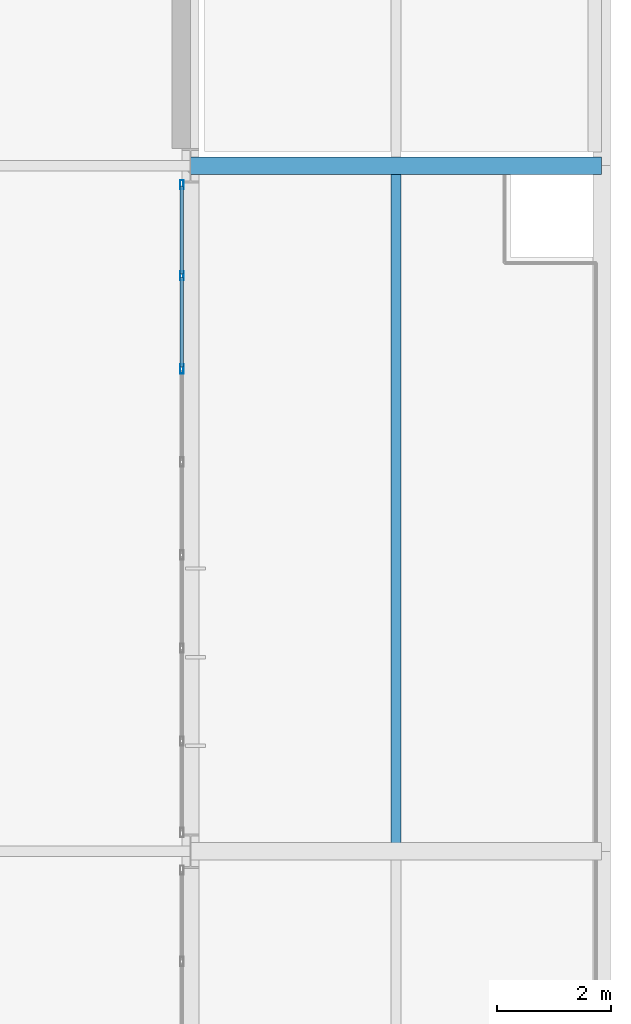
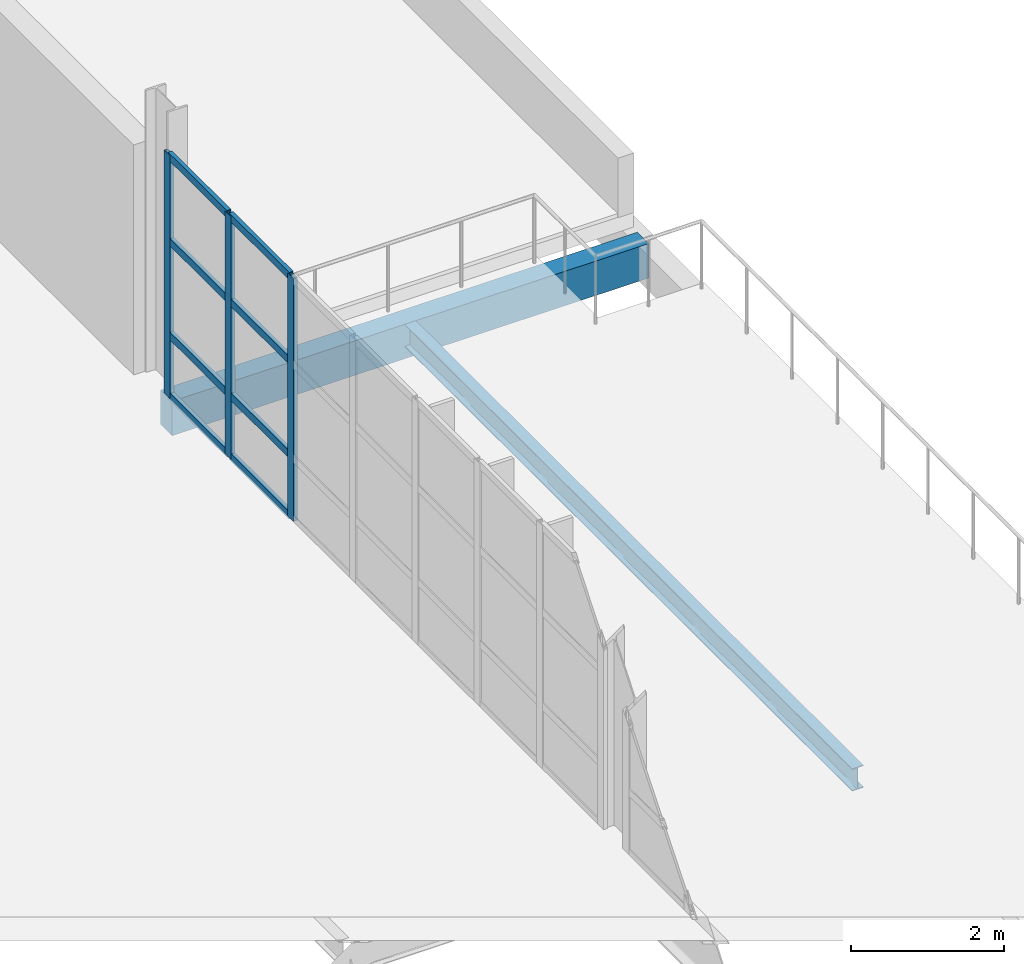
# One storey, part 83 of 109: 11 members, 2 beams, 1 element without a shape of its own.
"""IFC4 building model written with IfcOpenShell, lengths in metres."""

from ifc_helpers import new_model, si_unit, direction, frame, origin, origin_2d, place, context, subcontext, project, spatial, rectangle, hollow_rectangle, i_section, extrude, material, material_profile, profile_set, type_object, element, aggregate, save


model = new_model("IFC4")

# Units and contexts
model_context = context("Model", 3, precision=1e-05, world=origin(), true_north=direction((0.0, 1.0)))
body_context = subcontext(model_context, "Body", "Model", "MODEL_VIEW")
ifc_project = project(units=[si_unit("LENGTHUNIT", "METRE"), si_unit("AREAUNIT", "SQUARE_METRE"), si_unit("VOLUMEUNIT", "CUBIC_METRE"), si_unit("PLANEANGLEUNIT", "RADIAN"), si_unit("MASSUNIT", "GRAM", prefix="KILO")], contexts=[model_context])

# Site, building, storey
site_placement = place(None, origin())
site = spatial("IfcSite", under=ifc_project, at=site_placement, CompositionType="ELEMENT")
building_placement = place(site_placement, origin())
building = spatial("IfcBuilding", under=site, at=building_placement, Name="Veltarok Museum of Natural Sciences", CompositionType="ELEMENT")
storey_placement = place(building_placement, frame((0.0, 0.0, 17.39990234375)))
storey = spatial("IfcBuildingStorey", under=building, at=storey_placement, Name="L03", CompositionType="ELEMENT", Elevation=17.39990234375)

# Curtain wall, members
ifc_material_1 = material(Name="Low-iron triple insulated glass", Category="glass")
curtain_wall_type = type_object("IfcCurtainWallType", Name="Curtain Wall System CW-V5E-L03-F-1140x388 (V5 East Lab L03 F-G 1140x388cm)", PredefinedType="NOTDEFINED", material=ifc_material_1)
curtain_wall_placement = place(storey_placement, origin())
curtain_wall = element("IfcCurtainWall", 1, at=curtain_wall_placement, inside=storey, type_object=curtain_wall_type, Name="Curtain Wall CW-V5E-L03-F-1140x388 CW-0119", PredefinedType="NOTDEFINED")
ifc_material_2 = material(Name="Thermally broken anodised aluminium", Category="aluminium")
ifc_material_profile_1 = material_profile(ifc_material_2, hollow_rectangle(XDim=0.06005859375, YDim=0.1201171875, WallThickness=0.0048828125, at=origin_2d()), Name="CW TRANSOM 60x120x5")
ifc_profile_set_1 = profile_set([ifc_material_profile_1], Name="Thermally broken anodised aluminium")
member_type_1 = type_object("IfcMemberType", Name="Curtain Wall Horizontal Transom 60x120x5", PredefinedType="USERDEFINED", material=ifc_profile_set_1)
member_1_placement = place(storey_placement, frame((157.449951171875, 56.472900390625, 0.030029296875), z_axis=(0.0, 1.0, 0.0), x_axis=(-1.0, 0.0, 0.0)))
member_1 = element("IfcMember", 2, at=member_1_placement, type_object=member_type_1, Name="CW-V5E-L03-F-1140x388 transom 6.1", ObjectType="TRANSOM", PredefinedType="USERDEFINED", context=body_context, shape_type="SweptSolid", body=[
    extrude(hollow_rectangle(XDim=0.06005859375, YDim=0.1201171875, WallThickness=0.0048828125, at=origin_2d()), origin(), (0.0, 0.0, 1.0), 1.568603515625),
])
member_2_placement = place(storey_placement, frame((157.449951171875, 56.472900390625, 1.0), z_axis=(0.0, 1.0, 0.0), x_axis=(-1.0, 0.0, 0.0)))
member_2 = element("IfcMember", 3, at=member_2_placement, type_object=member_type_1, Name="CW-V5E-L03-F-1140x388 transom 6.2", ObjectType="TRANSOM", PredefinedType="USERDEFINED", context=body_context, shape_type="SweptSolid", body=[
    extrude(hollow_rectangle(XDim=0.06005859375, YDim=0.1201171875, WallThickness=0.0048828125, at=origin_2d()), origin(), (0.0, 0.0, 1.0), 1.568603515625),
])
member_3_placement = place(storey_placement, frame((157.449951171875, 56.472900390625, 2.5), z_axis=(0.0, 1.0, 0.0), x_axis=(-1.0, 0.0, 0.0)))
member_3 = element("IfcMember", 4, at=member_3_placement, type_object=member_type_1, Name="CW-V5E-L03-F-1140x388 transom 6.3", ObjectType="TRANSOM", PredefinedType="USERDEFINED", context=body_context, shape_type="SweptSolid", body=[
    extrude(hollow_rectangle(XDim=0.06005859375, YDim=0.1201171875, WallThickness=0.0048828125, at=origin_2d()), origin(), (0.0, 0.0, 1.0), 1.568603515625),
])
member_4_placement = place(storey_placement, frame((157.449951171875, 56.472900390625, 3.85009765625), z_axis=(0.0, 1.0, 0.0), x_axis=(-1.0, 0.0, 0.0)))
member_4 = element("IfcMember", 5, at=member_4_placement, type_object=member_type_1, Name="CW-V5E-L03-F-1140x388 transom 6.4", ObjectType="TRANSOM", PredefinedType="USERDEFINED", context=body_context, shape_type="SweptSolid", body=[
    extrude(hollow_rectangle(XDim=0.06005859375, YDim=0.1201171875, WallThickness=0.0048828125, at=origin_2d()), origin(), (0.0, 0.0, 1.0), 1.568603515625),
])
member_5_placement = place(storey_placement, frame((157.449951171875, 58.101318359375, 0.030029296875), z_axis=(0.0, 1.0, 0.0), x_axis=(-1.0, 0.0, 0.0)))
member_5 = element("IfcMember", 6, at=member_5_placement, type_object=member_type_1, Name="CW-V5E-L03-F-1140x388 transom 7.1", ObjectType="TRANSOM", PredefinedType="USERDEFINED", context=body_context, shape_type="SweptSolid", body=[
    extrude(hollow_rectangle(XDim=0.06005859375, YDim=0.1201171875, WallThickness=0.0048828125, at=origin_2d()), origin(), (0.0, 0.0, 1.0), 1.53857421875),
])
member_6_placement = place(storey_placement, frame((157.449951171875, 58.101318359375, 1.0), z_axis=(0.0, 1.0, 0.0), x_axis=(-1.0, 0.0, 0.0)))
member_6 = element("IfcMember", 7, at=member_6_placement, type_object=member_type_1, Name="CW-V5E-L03-F-1140x388 transom 7.2", ObjectType="TRANSOM", PredefinedType="USERDEFINED", context=body_context, shape_type="SweptSolid", body=[
    extrude(hollow_rectangle(XDim=0.06005859375, YDim=0.1201171875, WallThickness=0.0048828125, at=origin_2d()), origin(), (0.0, 0.0, 1.0), 1.53857421875),
])
member_7_placement = place(storey_placement, frame((157.449951171875, 58.101318359375, 2.5), z_axis=(0.0, 1.0, 0.0), x_axis=(-1.0, 0.0, 0.0)))
member_7 = element("IfcMember", 8, at=member_7_placement, type_object=member_type_1, Name="CW-V5E-L03-F-1140x388 transom 7.3", ObjectType="TRANSOM", PredefinedType="USERDEFINED", context=body_context, shape_type="SweptSolid", body=[
    extrude(hollow_rectangle(XDim=0.06005859375, YDim=0.1201171875, WallThickness=0.0048828125, at=origin_2d()), origin(), (0.0, 0.0, 1.0), 1.53857421875),
])
member_8_placement = place(storey_placement, frame((157.449951171875, 58.101318359375, 3.85009765625), z_axis=(0.0, 1.0, 0.0), x_axis=(-1.0, 0.0, 0.0)))
member_8 = element("IfcMember", 9, at=member_8_placement, type_object=member_type_1, Name="CW-V5E-L03-F-1140x388 transom 7.4", ObjectType="TRANSOM", PredefinedType="USERDEFINED", context=body_context, shape_type="SweptSolid", body=[
    extrude(hollow_rectangle(XDim=0.06005859375, YDim=0.1201171875, WallThickness=0.0048828125, at=origin_2d()), origin(), (0.0, 0.0, 1.0), 1.53857421875),
])
ifc_material_profile_2 = material_profile(ifc_material_2, hollow_rectangle(XDim=0.06005859375, YDim=0.159912109375, WallThickness=0.0048828125, at=origin_2d()), Name="CW MULLION 60x160x5")
ifc_profile_set_2 = profile_set([ifc_material_profile_2], Name="Thermally broken anodised aluminium")
member_type_2 = type_object("IfcMemberType", Name="Curtain Wall Vertical Mullion 60x160x5", PredefinedType="MULLION", material=ifc_profile_set_2)
member_9_placement = place(storey_placement, frame((157.449951171875, 56.44287109375, 0.0), z_axis=(0.0, 0.0, 1.0), x_axis=(-1.0, 0.0, 0.0)))
member_9 = element("IfcMember", 10, at=member_9_placement, type_object=member_type_2, Name="CW-V5E-L03-F-1140x388 mullion 6", PredefinedType="MULLION", context=body_context, shape_type="SweptSolid", body=[
    extrude(hollow_rectangle(XDim=0.06005859375, YDim=0.159912109375, WallThickness=0.0048828125, at=origin_2d()), origin(), (0.0, 0.0, 1.0), 3.880126953125),
])
member_10_placement = place(storey_placement, frame((157.449951171875, 58.071533203125, 0.0), z_axis=(0.0, 0.0, 1.0), x_axis=(-1.0, 0.0, 0.0)))
member_10 = element("IfcMember", 11, at=member_10_placement, type_object=member_type_2, Name="CW-V5E-L03-F-1140x388 mullion 7", PredefinedType="MULLION", context=body_context, shape_type="SweptSolid", body=[
    extrude(hollow_rectangle(XDim=0.06005859375, YDim=0.159912109375, WallThickness=0.0048828125, at=origin_2d()), origin(), (0.0, 0.0, 1.0), 3.880126953125),
])
member_11_placement = place(storey_placement, frame((157.449951171875, 59.669921875, 0.0), z_axis=(0.0, 0.0, 1.0), x_axis=(-1.0, 0.0, 0.0)))
member_11 = element("IfcMember", 12, at=member_11_placement, type_object=member_type_2, Name="CW-V5E-L03-F-1140x388 mullion 8", PredefinedType="MULLION", context=body_context, shape_type="SweptSolid", body=[
    extrude(hollow_rectangle(XDim=0.06005859375, YDim=0.159912109375, WallThickness=0.0048828125, at=origin_2d()), origin(), (0.0, 0.0, 1.0), 3.880126953125),
])
aggregate(curtain_wall, [member_9, member_10, member_11, member_1, member_2, member_3, member_4, member_5, member_6, member_7, member_8])

# Beams
ifc_material_3 = material(Name="Precast concrete C40/50", Category="concrete")
ifc_material_profile_3 = material_profile(ifc_material_3, rectangle(XDim=0.300048828125, YDim=0.550048828125, at=origin_2d()), Name="RC 300x550")
ifc_profile_set_3 = profile_set([ifc_material_profile_3], Name="Precast concrete C40/50")
beam_type_1 = type_object("IfcBeamType", Name="East Wing Precast Spandrel RC 300x550", PredefinedType="SPANDREL", material=ifc_profile_set_3)
beam_1_placement = place(storey_placement, frame((157.60009765625, 60.0, -0.534912109375), z_axis=(1.0, 0.0, 0.0), x_axis=(0.0, 1.0, 0.0)))
element("IfcBeam", 13, at=beam_1_placement, inside=storey, type_object=beam_type_1, Name="Beam BM-SP02 L03 19-20/G", PredefinedType="SPANDREL", context=body_context, shape_type="SweptSolid", body=[
    extrude(rectangle(XDim=0.300048828125, YDim=0.550048828125, at=origin_2d()), origin(), (0.0, 0.0, 1.0), 7.199951171875),
])
ifc_material_4 = material(Name="Steel S355J2", Category="steel")
ifc_material_profile_4 = material_profile(ifc_material_4, i_section(OverallWidth=0.169921875, OverallDepth=0.360107421875, WebThickness=0.008056640625, FlangeThickness=0.0126953125, FilletRadius=0.01806640625, at=origin_2d()), Name="IPE 360")
ifc_profile_set_4 = profile_set([ifc_material_profile_4], Name="Steel S355J2")
beam_type_2 = type_object("IfcBeamType", Name="Long-Bay Composite Joist IPE 360", PredefinedType="JOIST", material=ifc_profile_set_4)
beam_2_placement = place(storey_placement, frame((161.199951171875, 48.14794921875, -0.43994140625), z_axis=(0.0, 1.0, 0.0), x_axis=(-1.0, 0.0, 0.0)))
element("IfcBeam", 14, at=beam_2_placement, inside=storey, type_object=beam_type_2, Name="Secondary Joist BM-J01 L03 19-20/F-G.1", PredefinedType="JOIST", context=body_context, shape_type="SweptSolid", body=[
    extrude(i_section(OverallWidth=0.169921875, OverallDepth=0.360107421875, WebThickness=0.008056640625, FlangeThickness=0.0126953125, FilletRadius=0.01806640625, at=origin_2d()), origin(), (0.0, 0.0, 1.0), 11.7041015625),
])

save(model, "model.ifc")
